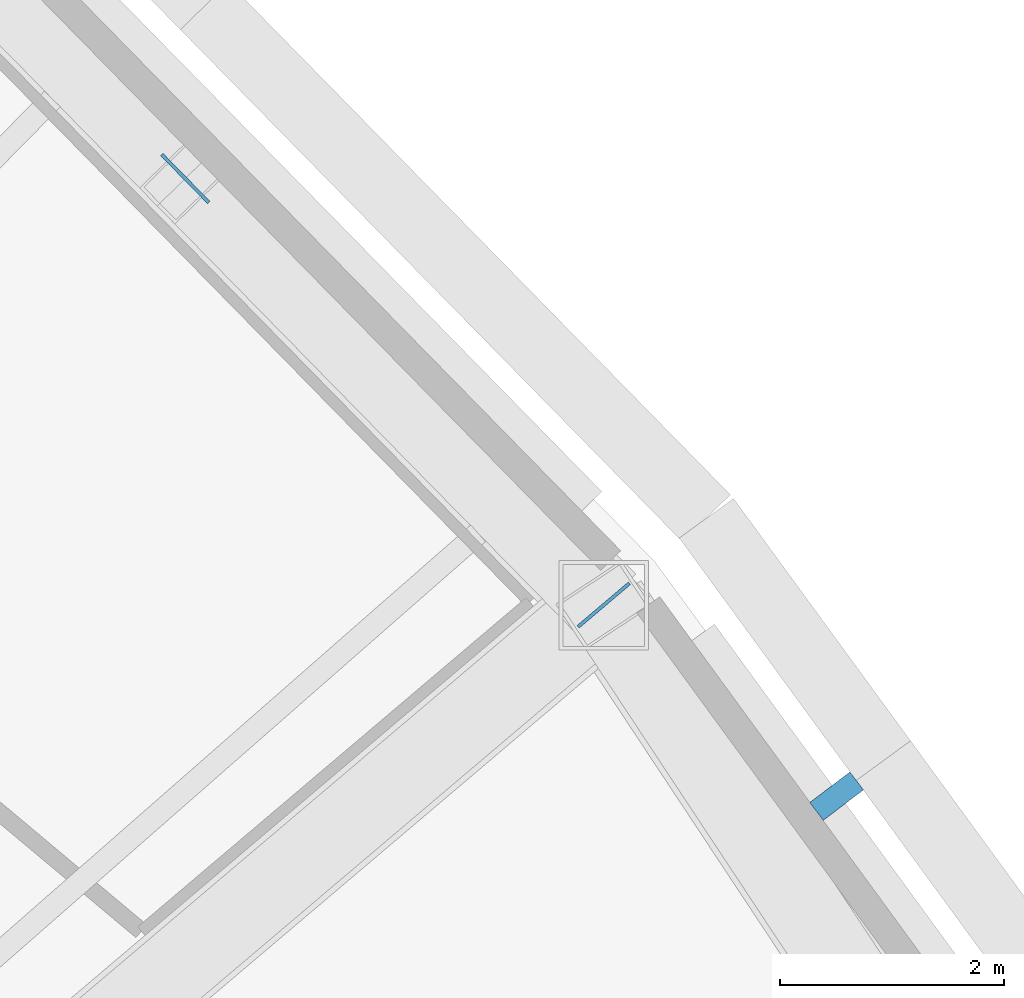
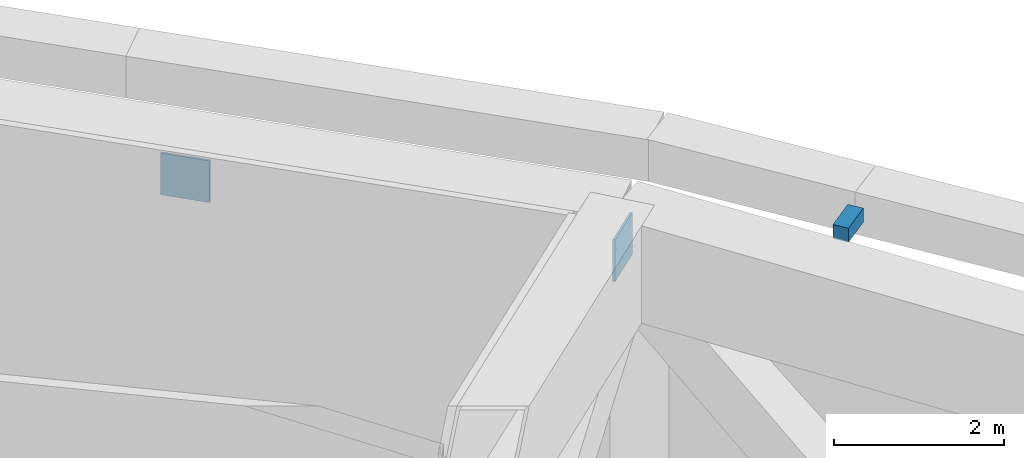
# One storey, part 18 of 25: 3 discrete accessories.
"""IFC4 building model written with IfcOpenShell, lengths in metres."""

from ifc_helpers import new_model, si_unit, direction, frame, origin, origin_2d, place, context, subcontext, project, spatial, rectangle, extrude, material, type_object, element, save


model = new_model("IFC4")

# Units and contexts
model_context = context("Model", 3, precision=1e-05, world=origin(), true_north=direction((0.0, 1.0)))
body_context = subcontext(model_context, "Body", "Model", "MODEL_VIEW")
ifc_project = project(units=[si_unit("LENGTHUNIT", "METRE"), si_unit("AREAUNIT", "SQUARE_METRE"), si_unit("VOLUMEUNIT", "CUBIC_METRE"), si_unit("PLANEANGLEUNIT", "RADIAN"), si_unit("MASSUNIT", "GRAM", prefix="KILO")], contexts=[model_context])

# Site, building, storey
site_placement = place(None, origin())
site = spatial("IfcSite", under=ifc_project, at=site_placement, CompositionType="ELEMENT")
building_placement = place(site_placement, origin())
building = spatial("IfcBuilding", under=site, at=building_placement, Name="Tuul Gate Civic Tower", CompositionType="ELEMENT")
storey_placement = place(building_placement, frame((0.0, 0.0, 60.89990234375)))
storey = spatial("IfcBuildingStorey", under=building, at=storey_placement, Name="Plant and refuge floor 2", CompositionType="ELEMENT", Elevation=60.89990234375)

# Discrete accessories
ifc_material_1 = material(Name="Steel S355", Category="steel")
discrete_accessory_type_1 = type_object("IfcDiscreteAccessoryType", Name="Gusset plate", PredefinedType="BRACKET", material=ifc_material_1)
for number, where, z_axis, x_axis, name in (
    (1, (61.1806640625, -7.40625, 3.203125), (0.0, 0.0, 1.0), (-0.76282474496, -0.646605295738, 0.0), "Gusset plate"),
    (2, (57.443115234375, -3.596435546875, 3.203369140625), (0.0, 0.0, 1.0), (0.700000236809, -0.714142610735, 0.0), "Gusset plate"),
):
    element("IfcDiscreteAccessory", number, at=place(storey_placement, frame(where, z_axis=z_axis, x_axis=x_axis)), inside=storey, type_object=discrete_accessory_type_1, Name=name, PredefinedType="BRACKET", context=body_context, shape_type="SweptSolid", body=[
        extrude(rectangle(XDim=0.60009765625, YDim=0.030029296875, at=origin_2d()), origin(), (0.0, 0.0, 1.0), 0.60009765625),
    ])
ifc_material_2 = material(Name="Stainless steel", Category="steel")
discrete_accessory_type_2 = type_object("IfcDiscreteAccessoryType", Name="Screen bracket", PredefinedType="BRACKET", material=ifc_material_2)
discrete_accessory_placement = place(storey_placement, frame((63.2607421875, -9.11328125, 4.05029296875), z_axis=(0.0, 0.0, 1.0), x_axis=(0.796468710921, 0.604679743769, 0.0)))
element("IfcDiscreteAccessory", 3, at=discrete_accessory_placement, inside=storey, type_object=discrete_accessory_type_2, Name="Screen bracket 1", PredefinedType="BRACKET", context=body_context, shape_type="SweptSolid", body=[
    extrude(rectangle(XDim=0.4501953125, YDim=0.199951171875, at=origin_2d()), origin(), (0.0, 0.0, 1.0), 0.199951171875),
])

save(model, "model.ifc")
